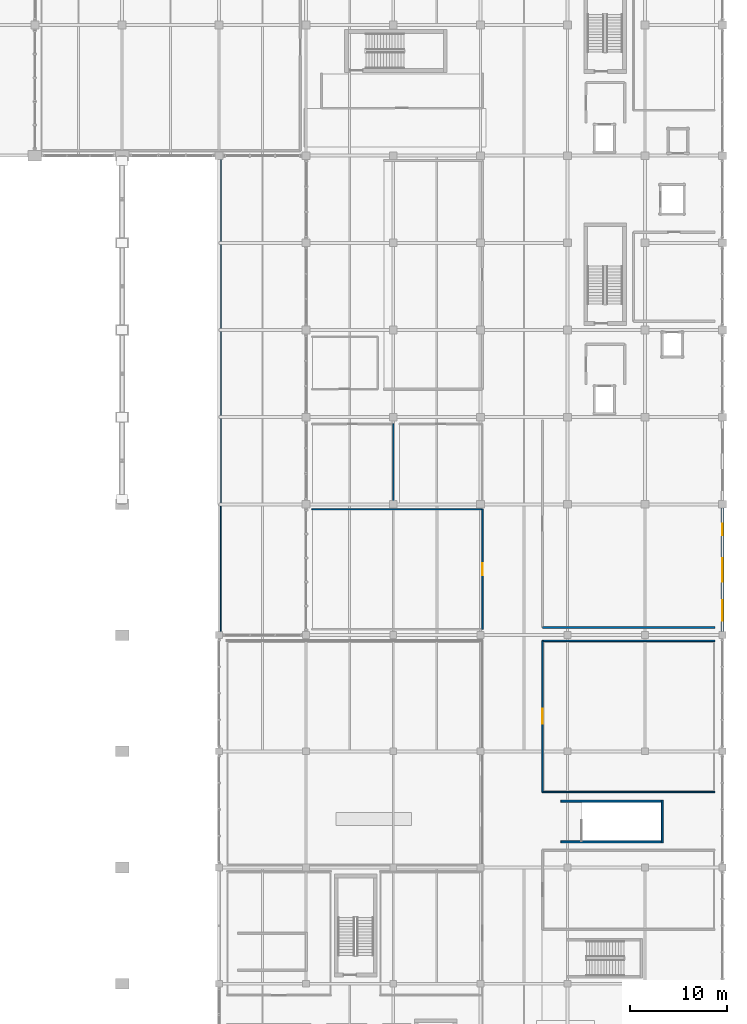
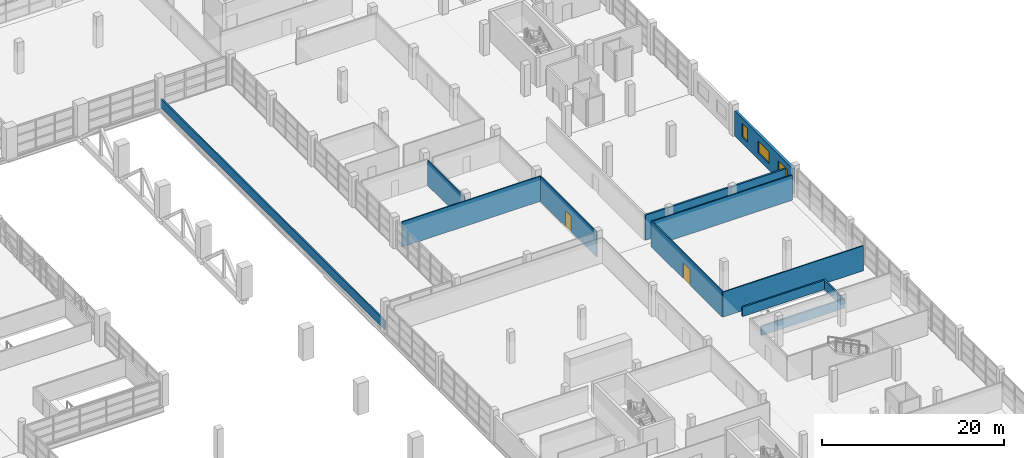
# One storey, part 121 of 136: 12 walls, 3 windows, 2 doors, 5 openings.
"""IFC4 building model written with IfcOpenShell, lengths in metres."""

import ifcopenshell
import ifcopenshell.guid

model = None  # the IFC model being written
_history = None  # IfcOwnerHistory: only IFC2X3 demands one
_inside = {}  # id of a spatial element -> (the spatial element, [elements in it])
_under = {}  # id of a project, library or spatial element -> (it, [spatial elements below it])
_declared = {}  # id of a project -> (the project, [libraries it declares])
_typed = {}  # id of a type object -> (the type object, [elements of that type])
_made_of = {}  # id of a material, layer set ... -> (it, [elements and type objects made of it])


def new_model(schema):
    """Start an empty IFC model of exactly this schema.

    Asked for "IFC4X3", IfcOpenShell would pick the latest addendum, in which some entities
    have other attributes; the version numbers below select the first issue.
    IFC2X3 requires an IfcOwnerHistory on every rooted entity: one is made here for all.
    """
    global model, _history
    if schema == "IFC4X3":
        model = ifcopenshell.file(schema_version=(4, 3, 0, 0))
    else:
        model = ifcopenshell.file(schema=schema)
    _inside.clear()
    _under.clear()
    _declared.clear()
    _typed.clear()
    _made_of.clear()
    _history = None
    if model.schema == "IFC2X3":
        org = make("IfcOrganization", Name="unknown")
        user = make(
            "IfcPersonAndOrganization",
            ThePerson=make("IfcPerson", FamilyName="unknown"),
            TheOrganization=org,
        )
        app = make(
            "IfcApplication",
            ApplicationDeveloper=org,
            Version="unknown",
            ApplicationFullName="unknown",
            ApplicationIdentifier="unknown",
        )
        _history = make(
            "IfcOwnerHistory",
            OwningUser=user,
            OwningApplication=app,
            ChangeAction="ADDED",
            CreationDate=0,
        )
    return model


def make(cls, **values):
    """One entity of the class cls with the attributes given. An attribute that is None is left unset."""
    return model.create_entity(
        cls, **{name: value for name, value in values.items() if value is not None}
    )


def rooted(cls, **values):
    """An entity with a GlobalId (a new one), such as an element, a storey or a relation."""
    return make(cls, GlobalId=ifcopenshell.guid.new(), OwnerHistory=_history, **values)


def si_unit(unit_type, name, prefix=None):
    """IfcSIUnit, for example si_unit("LENGTHUNIT", "METRE", prefix="MILLI")."""
    return make("IfcSIUnit", UnitType=unit_type, Prefix=prefix, Name=name)


def assignment(units):
    """IfcUnitAssignment: the units of a project."""
    return None if units is None else make("IfcUnitAssignment", Units=units)


def point(xyz):
    """IfcCartesianPoint."""
    return None if xyz is None else make("IfcCartesianPoint", Coordinates=xyz)


def direction(xyz):
    """IfcDirection."""
    return None if xyz is None else make("IfcDirection", DirectionRatios=xyz)


def frame(location, z_axis=None, x_axis=None):
    """IfcAxis2Placement3D, a coordinate frame: its origin and axes. An axis left out is left unset."""
    return make(
        "IfcAxis2Placement3D",
        Location=point(location),
        Axis=direction(z_axis),
        RefDirection=direction(x_axis),
    )


def frame_2d(location, x_axis=None):
    """IfcAxis2Placement2D, a coordinate frame in the plane: its origin and x axis."""
    return make(
        "IfcAxis2Placement2D", Location=point(location), RefDirection=direction(x_axis)
    )


def origin():
    """The frame at (0, 0, 0) with its axes left unset."""
    return frame((0.0, 0.0, 0.0))


def place(relative_to, where):
    """IfcLocalPlacement: puts the frame where relative to a parent placement (None: the world)."""
    return make(
        "IfcLocalPlacement", PlacementRelTo=relative_to, RelativePlacement=where
    )


def context(
    kind, dimensions, precision=None, world=None, true_north=None, identifier=None
):
    """IfcGeometricRepresentationContext, for example the 3D "Model" context."""
    return make(
        "IfcGeometricRepresentationContext",
        ContextIdentifier=identifier,
        ContextType=kind,
        CoordinateSpaceDimension=dimensions,
        Precision=precision,
        WorldCoordinateSystem=world,
        TrueNorth=true_north,
    )


def subcontext(parent, identifier, kind, view, scale=None):
    """IfcGeometricRepresentationSubContext, for example "Body" below "Model"."""
    return make(
        "IfcGeometricRepresentationSubContext",
        ContextIdentifier=identifier,
        ContextType=kind,
        ParentContext=parent,
        TargetScale=scale,
        TargetView=view,
    )


def project(units=None, contexts=None):
    """IfcProject with its units and contexts."""
    return rooted(
        "IfcProject",
        Name="project",
        RepresentationContexts=contexts,
        UnitsInContext=assignment(units),
    )


def spatial(cls, under=None, at=None, **own):
    """A site, building, storey or space (cls), placed at a placement, below another one or the project."""
    s = rooted(cls, ObjectPlacement=at, **own)
    if under is not None:
        _under.setdefault(under.id(), (under, []))[1].append(s)
    return s


def profile(cls, at=None, kind="AREA", **sizes):
    """A parametric profile (cls). Its sizes go by their IFC names, for example OverallWidth=200.0."""
    return make(cls, ProfileType=kind, Position=at, **sizes)


def rectangle(**sizes):
    """IfcRectangleProfileDef."""
    return profile("IfcRectangleProfileDef", **sizes)


def extrude(swept, where, along, depth):
    """IfcExtrudedAreaSolid: the profile swept, set in the frame where, extruded along a direction by depth."""
    return make(
        "IfcExtrudedAreaSolid",
        SweptArea=swept,
        Position=where,
        ExtrudedDirection=direction(along),
        Depth=depth,
    )


def shape(context_of_items, identifier, shape_type, items):
    """IfcShapeRepresentation: the items that make up one representation, for example the "Body"."""
    return make(
        "IfcShapeRepresentation",
        ContextOfItems=context_of_items,
        RepresentationIdentifier=identifier,
        RepresentationType=shape_type,
        Items=items,
    )


def material(Name=None, Category=None):
    """IfcMaterial."""
    return make("IfcMaterial", Name=Name, Category=Category)


def layer(
    of_material, thickness, ventilated=None, Name=None, Category=None, Priority=None
):
    """IfcMaterialLayer: one layer of a wall or slab, of a material (None: an air gap)."""
    return make(
        "IfcMaterialLayer",
        Material=of_material,
        LayerThickness=thickness,
        IsVentilated=ventilated,
        Name=Name,
        Category=Category,
        Priority=Priority,
    )


def layer_set(layers, Name=None):
    """IfcMaterialLayerSet."""
    return make("IfcMaterialLayerSet", MaterialLayers=layers, LayerSetName=Name)


def made_of(thing, what):
    """Note that an element or type object is made of a material, layer set ...; save() writes the relation."""
    if what is not None:
        _made_of.setdefault(what.id(), (what, []))[1].append(thing)
    return thing


def type_object(cls, material=None, **own):
    """A type object (cls), such as IfcWallType, which elements share."""
    return made_of(rooted(cls, **own), material)


def element(
    cls,
    number,
    at=None,
    inside=None,
    cuts=None,
    type_object=None,
    material=None,
    context=None,
    identifier="Body",
    shape_type=None,
    held_by="IfcProductDefinitionShape",
    body=None,
    shapes=None,
    **own,
):
    """One element of the class cls, such as IfcWall. Its Tag is "e" and its number.

    at: its placement. inside: the storey or other place that contains it. cuts: it is an
    opening in that element (IfcRelVoidsElement). A single representation is given by context,
    identifier, shape_type and body (its items); several are given by shapes. held_by: the class
    of the entity that holds the representations. save() writes the other relations.
    """
    e = rooted(cls, Tag="e%d" % number, ObjectPlacement=at, **own)
    if body is not None:
        shapes = [shape(context, identifier, shape_type, body)]
    if shapes is not None:
        e.Representation = make(held_by, Representations=shapes)
    if inside is not None:
        _inside.setdefault(inside.id(), (inside, []))[1].append(e)
    if cuts is not None:
        rooted(
            "IfcRelVoidsElement", RelatingBuildingElement=cuts, RelatedOpeningElement=e
        )
    if type_object is not None:
        _typed.setdefault(type_object.id(), (type_object, []))[1].append(e)
    return made_of(e, material)


def fill(opening, filler):
    """IfcRelFillsElement: the door or window that sits in an opening."""
    return rooted(
        "IfcRelFillsElement",
        RelatingOpeningElement=opening,
        RelatedBuildingElement=filler,
    )


def aggregate(whole, parts):
    """IfcRelAggregates: a whole, such as a stair, and the parts it consists of."""
    return rooted("IfcRelAggregates", RelatingObject=whole, RelatedObjects=parts)


def save(model, path):
    """Write the relations noted so far, then the file.

    IfcRelAggregates (storeys below a building ...), IfcRelContainedInSpatialStructure (elements
    in a storey), IfcRelDefinesByType, IfcRelAssociatesMaterial and IfcRelDeclares: one each for
    every whole, place, type object, material and project.
    """
    for whole, parts in _under.values():
        aggregate(whole, parts)
    for where, things in _inside.values():
        rooted(
            "IfcRelContainedInSpatialStructure",
            RelatedElements=things,
            RelatingStructure=where,
        )
    for kind, things in _typed.values():
        rooted("IfcRelDefinesByType", RelatedObjects=things, RelatingType=kind)
    for what, things in _made_of.values():
        rooted("IfcRelAssociatesMaterial", RelatedObjects=things, RelatingMaterial=what)
    for by, libraries in _declared.values():
        rooted("IfcRelDeclares", RelatingContext=by, RelatedDefinitions=libraries)
    model.write(path)


model = new_model("IFC4")

# Units and contexts
model_context = context("Model", 3, precision=1e-05, world=origin(), true_north=direction((0.0, 1.0)))
body_context = subcontext(model_context, "Body", "Model", "MODEL_VIEW")
ifc_project = project(units=[si_unit("LENGTHUNIT", "METRE"), si_unit("AREAUNIT", "SQUARE_METRE"), si_unit("VOLUMEUNIT", "CUBIC_METRE"), si_unit("PLANEANGLEUNIT", "RADIAN"), si_unit("MASSUNIT", "GRAM", prefix="KILO")], contexts=[model_context])

# Site, building, storey
site_placement = place(None, origin())
site = spatial("IfcSite", under=ifc_project, at=site_placement, CompositionType="ELEMENT")
building_placement = place(site_placement, origin())
building = spatial("IfcBuilding", under=site, at=building_placement, Name="Chuanluo Vaults Station", CompositionType="ELEMENT")
storey_placement = place(building_placement, frame((0.0, 0.0, 6.60009765625)))
storey = spatial("IfcBuildingStorey", under=building, at=storey_placement, Name="L01", CompositionType="ELEMENT", Elevation=6.60009765625)

# Wall, openings, windows
ifc_material_1 = material(Name="Concrete C40", Category="concrete")
ifc_layer_1 = layer(ifc_material_1, 0.320068359375)
ifc_layer_set_1 = layer_set([ifc_layer_1], Name="Concrete C40")
wall_type_1 = type_object("IfcWallType", Name="WL-EXT-320", PredefinedType="SOLIDWALL", material=ifc_layer_set_1)
wall_1_placement = place(storey_placement, frame((188.0, 67.10009765625, 0.0), z_axis=(0.0, 0.0, 1.0), x_axis=(0.0, -1.0, 0.0)))
wall_1 = element("IfcWall", 1, at=wall_1_placement, inside=storey, type_object=wall_type_1, Name="L01 exterior punched wall 04", PredefinedType="SOLIDWALL", context=body_context, shape_type="SweptSolid", body=[
    extrude(rectangle(XDim=12.75, YDim=0.320068359375, at=frame_2d((6.375, 0.0))), origin(), (0.0, 0.0, 1.0), 3.344970703125),
])
opening_1_placement = place(wall_1_placement, frame((1.578369140625, 0.0, 0.89990234375)))
opening_1 = element("IfcOpeningElement", 2, at=opening_1_placement, cuts=wall_1, Name="Opening W-05", PredefinedType="OPENING", context=body_context, shape_type="SweptSolid", body=[
    extrude(rectangle(XDim=1.199951171875, YDim=1.800048828125, at=frame_2d((0.60009765625, 0.89990234375))), frame((0.0, 0.17016, 0.0), z_axis=(0.0, -1.0, 0.0), x_axis=(1.0, 0.0, 0.0)), (0.0, 0.0, 1.0), 0.34007),
])
opening_2_placement = place(wall_1_placement, frame((5.175048828125, 0.0, 0.89990234375)))
opening_2 = element("IfcOpeningElement", 3, at=opening_2_placement, cuts=wall_1, Name="Opening W-06", PredefinedType="OPENING", context=body_context, shape_type="SweptSolid", body=[
    extrude(rectangle(XDim=2.39990234375, YDim=1.60009765625, at=frame_2d((1.199951171875, 0.800048828125))), frame((0.0, 0.17016, 0.0), z_axis=(0.0, -1.0, 0.0), x_axis=(1.0, 0.0, 0.0)), (0.0, 0.0, 1.0), 0.34007),
])
opening_3_placement = place(wall_1_placement, frame((9.521728515625, 0.0, 0.89990234375)))
opening_3 = element("IfcOpeningElement", 4, at=opening_3_placement, cuts=wall_1, Name="Opening W-07", PredefinedType="OPENING", context=body_context, shape_type="SweptSolid", body=[
    extrude(rectangle(XDim=2.10009765625, YDim=1.60009765625, at=frame_2d((1.050048828125, 0.800048828125))), frame((0.0, 0.17016, 0.0), z_axis=(0.0, -1.0, 0.0), x_axis=(1.0, 0.0, 0.0)), (0.0, 0.0, 1.0), 0.34007),
])
ifc_material_2 = material(Name="Double-silver Low-E laminated glass", Category="glass")
window_type_1 = type_object("IfcWindowType", Name="WN-OPS-1200x1800", PartitioningType="SINGLE_PANEL", PredefinedType="WINDOW", material=ifc_material_2)
window_1_placement = place(opening_1_placement, origin())
window_1 = element("IfcWindow", 5, at=window_1_placement, inside=storey, type_object=window_type_1, Name="W-067 L01 facade window", OverallHeight=1.800048828125, OverallWidth=1.199951171875, PartitioningType="SINGLE_PANEL", PredefinedType="WINDOW", context=body_context, shape_type="SweptSolid", body=[
    extrude(rectangle(XDim=1.199951171875, YDim=1.800048828125, at=frame_2d((0.60009765625, 0.89990234375))), frame((0.0, 0.030029296875, 0.0), z_axis=(0.0, -1.0, 0.0), x_axis=(1.0, 0.0, 0.0)), (0.0, 0.0, 1.0), 0.06005859375),
])
fill(opening_1, window_1)
ifc_material_3 = material(Name="Double-silver Low-E laminated glass", Category="glass")
window_type_2 = type_object("IfcWindowType", Name="WN-OPS-2100x1600", PartitioningType="SINGLE_PANEL", PredefinedType="WINDOW", material=ifc_material_3)
window_2_placement = place(opening_3_placement, origin())
window_2 = element("IfcWindow", 6, at=window_2_placement, inside=storey, type_object=window_type_2, Name="W-069 L01 facade window", OverallHeight=1.60009765625, OverallWidth=2.10009765625, PartitioningType="SINGLE_PANEL", PredefinedType="WINDOW", context=body_context, shape_type="SweptSolid", body=[
    extrude(rectangle(XDim=2.10009765625, YDim=1.60009765625, at=frame_2d((1.050048828125, 0.800048828125))), frame((0.0, 0.030029296875, 0.0), z_axis=(0.0, -1.0, 0.0), x_axis=(1.0, 0.0, 0.0)), (0.0, 0.0, 1.0), 0.06005859375),
])
fill(opening_3, window_2)
ifc_material_4 = material(Name="Double-silver Low-E laminated glass", Category="glass")
window_type_3 = type_object("IfcWindowType", Name="WN-OPS-2400x1600", PartitioningType="SINGLE_PANEL", PredefinedType="WINDOW", material=ifc_material_4)
window_3_placement = place(opening_2_placement, origin())
window_3 = element("IfcWindow", 7, at=window_3_placement, inside=storey, type_object=window_type_3, Name="W-068 L01 facade window", OverallHeight=1.60009765625, OverallWidth=2.39990234375, PartitioningType="SINGLE_PANEL", PredefinedType="WINDOW", context=body_context, shape_type="SweptSolid", body=[
    extrude(rectangle(XDim=2.39990234375, YDim=1.60009765625, at=frame_2d((1.199951171875, 0.800048828125))), frame((0.0, 0.030029296875, 0.0), z_axis=(0.0, -1.0, 0.0), x_axis=(1.0, 0.0, 0.0)), (0.0, 0.0, 1.0), 0.06005859375),
])
fill(opening_2, window_3)

# Walls
ifc_material_5 = material(Name="Concrete C40", Category="concrete")
ifc_layer_2 = layer(ifc_material_5, 0.219970703125)
ifc_layer_set_2 = layer_set([ifc_layer_2], Name="Concrete C40")
wall_type_2 = type_object("IfcWallType", Name="WL-FIR-220", PredefinedType="SOLIDWALL", material=ifc_layer_set_2)
wall_2_placement = place(storey_placement, frame((187.199951171875, 54.800048828125, 0.0), z_axis=(0.0, 0.0, 1.0), x_axis=(-1.0, 0.0, 0.0)))
element("IfcWall", 8, at=wall_2_placement, inside=storey, type_object=wall_type_2, Name="L01-19 Signal Relay Equipment Room S partition", PredefinedType="SOLIDWALL", context=body_context, shape_type="SweptSolid", body=[
    extrude(rectangle(XDim=17.800048828125, YDim=0.219970703125, at=frame_2d((8.89990234375, 0.0))), origin(), (0.0, 0.0, 1.0), 3.369873046875),
])
ifc_material_6 = material(Name="Concrete C40", Category="concrete")
ifc_layer_3 = layer(ifc_material_6, 0.179931640625)
ifc_layer_set_3 = layer_set([ifc_layer_3], Name="Concrete C40")
wall_type_3 = type_object("IfcWallType", Name="WL-PAR-180", PredefinedType="PARAPET", material=ifc_layer_set_3)
wall_3_placement = place(storey_placement, frame((136.14990234375, 54.14990234375, 0.0), z_axis=(0.0, 0.0, 1.0), x_axis=(0.0, 1.0, 0.0)))
element("IfcWall", 9, at=wall_3_placement, inside=storey, type_object=wall_type_3, Name="L01 roof parapet wall 05", PredefinedType="PARAPET", context=body_context, shape_type="SweptSolid", body=[
    extrude(rectangle(XDim=49.2001953125, YDim=0.179931640625, at=frame_2d((24.60009765625, 0.0))), origin(), (0.0, 0.0, 1.0), 1.199951171875),
])
ifc_material_7 = material(Name="Masonry blockwork M10", Category="masonry")
ifc_layer_4 = layer(ifc_material_7, 0.1298828125)
ifc_layer_set_4 = layer_set([ifc_layer_4], Name="Masonry blockwork M10")
wall_type_4 = type_object("IfcWallType", Name="WL-PRT-130", PredefinedType="PARTITIONING", material=ifc_layer_set_4)
wall_4_placement = place(storey_placement, frame((154.0, 75.800048828125, 0.0), z_axis=(0.0, 0.0, 1.0), x_axis=(0.0, -1.0, 0.0)))
element("IfcWall", 10, at=wall_4_placement, inside=storey, type_object=wall_type_4, Name="L01-13 Departure Level Male Toilet E partition", PredefinedType="PARTITIONING", context=body_context, shape_type="SweptSolid", body=[
    extrude(rectangle(XDim=8.199951171875, YDim=0.1298828125, at=frame_2d((4.10009765625, 0.0))), origin(), (0.0, 0.0, 1.0), 3.369873046875),
])
ifc_material_8 = material(Name="Autoclaved aerated concrete blockwork MU10", Category="masonry")
ifc_layer_5 = layer(ifc_material_8, 0.139892578125)
ifc_layer_set_5 = layer_set([ifc_layer_5], Name="Autoclaved aerated concrete blockwork MU10")
wall_type_5 = type_object("IfcWallType", Name="WL-PRT-140", PredefinedType="PARTITIONING", material=ifc_layer_set_5)
wall_5_placement = place(storey_placement, frame((145.60009765625, 67.0, 0.0), z_axis=(0.0, 0.0, 1.0), x_axis=(1.0, 0.0, 0.0)))
element("IfcWall", 11, at=wall_5_placement, inside=storey, type_object=wall_type_5, Name="L01-12 Nursing and Family Care Suite N partition", PredefinedType="PARTITIONING", context=body_context, shape_type="SweptSolid", body=[
    extrude(rectangle(XDim=17.599853515625, YDim=0.139892578125, at=frame_2d((8.7998046875, 0.0))), origin(), (0.0, 0.0, 1.0), 3.369873046875),
])

# Wall, opening, door
wall_6_placement = place(storey_placement, frame((163.199951171875, 67.0, 0.0), z_axis=(0.0, 0.0, 1.0), x_axis=(0.0, -1.0, 0.0)))
wall_6 = element("IfcWall", 12, at=wall_6_placement, inside=storey, type_object=wall_type_5, Name="L01-12 Nursing and Family Care Suite E partition", PredefinedType="PARTITIONING", context=body_context, shape_type="SweptSolid", body=[
    extrude(rectangle(XDim=12.39990234375, YDim=0.139892578125, at=frame_2d((6.199951171875, 0.0))), origin(), (0.0, 0.0, 1.0), 3.369873046875),
])
opening_4_placement = place(wall_6_placement, frame((5.574951171875, 0.0, 0.0)))
opening_4 = element("IfcOpeningElement", 13, at=opening_4_placement, cuts=wall_6, Name="Opening D-I05", PredefinedType="OPENING", context=body_context, shape_type="SweptSolid", body=[
    extrude(rectangle(XDim=1.25, YDim=2.10009765625, at=frame_2d((0.625, 1.050048828125))), frame((0.0, 0.07982, 0.0), z_axis=(0.0, -1.0, 0.0), x_axis=(1.0, 0.0, 0.0)), (0.0, 0.0, 1.0), 0.15989),
])
ifc_material_9 = material(Name="Anodised aluminium 6063-T6", Category="aluminium")
door_type_1 = type_object("IfcDoorType", Name="DR-INT-1250x2100", OperationType="NOTDEFINED", PredefinedType="DOOR", material=ifc_material_9)
door_1_placement = place(opening_4_placement, origin())
door_1 = element("IfcDoor", 14, at=door_1_placement, inside=storey, type_object=door_type_1, Name="D-188 Nursing and Family Care Suite door", OperationType="SINGLE_SWING_LEFT", OverallHeight=2.10009765625, OverallWidth=1.25, PredefinedType="DOOR", context=body_context, shape_type="SweptSolid", body=[
    extrude(rectangle(XDim=1.25, YDim=2.10009765625, at=frame_2d((0.625, 1.050048828125))), frame((0.0, 0.02490234375, 0.0), z_axis=(0.0, -1.0, 0.0), x_axis=(1.0, 0.0, 0.0)), (0.0, 0.0, 1.0), 0.050048828125),
])
fill(opening_4, door_1)

# Walls
ifc_material_10 = material(Name="Autoclaved aerated concrete blockwork MU10", Category="masonry")
ifc_layer_6 = layer(ifc_material_10, 0.14990234375)
ifc_layer_set_6 = layer_set([ifc_layer_6], Name="Autoclaved aerated concrete blockwork MU10")
wall_type_6 = type_object("IfcWallType", Name="WL-PRT-150", PredefinedType="PARTITIONING", material=ifc_layer_set_6)
for number, where, z_axis, x_axis, name in (
    (15, (187.199951171875, 37.800048828125, 0.0), (0.0, 0.0, 1.0), (-1.0, 0.0, 0.0), "L01-11 Souvenir and Nanjing Craft Gallery S partition"),
    (16, (169.39990234375, 53.39990234375, 0.0), (0.0, 0.0, 1.0), (1.0, 0.0, 0.0), "L01-11 Souvenir and Nanjing Craft Gallery N partition"),
):
    element("IfcWall", number, at=place(storey_placement, frame(where, z_axis=z_axis, x_axis=x_axis)), inside=storey, type_object=wall_type_6, Name=name, PredefinedType="PARTITIONING", context=body_context, shape_type="SweptSolid", body=[
        extrude(rectangle(XDim=17.800048828125, YDim=0.14990234375, at=frame_2d((8.89990234375, 0.0))), origin(), (0.0, 0.0, 1.0), 3.344970703125),
    ])

# Wall, opening, door
wall_7_placement = place(storey_placement, frame((169.39990234375, 37.800048828125, 0.0), z_axis=(0.0, 0.0, 1.0), x_axis=(0.0, 1.0, 0.0)))
wall_7 = element("IfcWall", 17, at=wall_7_placement, inside=storey, type_object=wall_type_6, Name="L01-11 Souvenir and Nanjing Craft Gallery W partition", PredefinedType="PARTITIONING", context=body_context, shape_type="SweptSolid", body=[
    extrude(rectangle(XDim=15.599853515625, YDim=0.14990234375, at=frame_2d((7.7998046875, 0.0))), origin(), (0.0, 0.0, 1.0), 3.48486328125),
])
opening_5_placement = place(wall_7_placement, frame((7.02490234375, 0.0, 0.0)))
opening_5 = element("IfcOpeningElement", 18, at=opening_5_placement, cuts=wall_7, Name="Opening D-I03", PredefinedType="OPENING", context=body_context, shape_type="SweptSolid", body=[
    extrude(rectangle(XDim=1.550048828125, YDim=2.10009765625, at=frame_2d((0.77490234375, 1.050048828125))), frame((0.0, 0.08495, 0.0), z_axis=(0.0, -1.0, 0.0), x_axis=(1.0, 0.0, 0.0)), (0.0, 0.0, 1.0), 0.1699),
])
ifc_material_11 = material(Name="Anodised aluminium 6063-T6", Category="aluminium")
door_type_2 = type_object("IfcDoorType", Name="DR-INT-1550x2100", OperationType="NOTDEFINED", PredefinedType="DOOR", material=ifc_material_11)
door_2_placement = place(opening_5_placement, origin())
door_2 = element("IfcDoor", 19, at=door_2_placement, inside=storey, type_object=door_type_2, Name="D-187 Souvenir and Nanjing Craft Gallery door", OperationType="SINGLE_SWING_RIGHT", OverallHeight=2.10009765625, OverallWidth=1.550048828125, PredefinedType="DOOR", context=body_context, shape_type="SweptSolid", body=[
    extrude(rectangle(XDim=1.550048828125, YDim=2.10009765625, at=frame_2d((0.77490234375, 1.050048828125))), frame((0.0, 0.02490234375, 0.0), z_axis=(0.0, -1.0, 0.0), x_axis=(1.0, 0.0, 0.0)), (0.0, 0.0, 1.0), 0.050048828125),
])
fill(opening_5, door_2)

# Walls
ifc_material_12 = material(Name="Concrete C40", Category="concrete")
ifc_layer_7 = layer(ifc_material_12, 0.199951171875)
ifc_layer_set_7 = layer_set([ifc_layer_7], Name="Concrete C40")
wall_type_7 = type_object("IfcWallType", Name="WL-SHF-200", PredefinedType="SOLIDWALL", material=ifc_layer_set_7)
for number, where, z_axis, x_axis, name in (
    (20, (171.300048828125, 32.64990234375, 0.0), (0.0, 0.0, 1.0), (1.0, 0.0, 0.0), "Stair ST-26 south shaft wall L01"),
    (21, (181.875, 36.85009765625, 0.0), (0.0, 0.0, 1.0), (-1.0, 0.0, 0.0), "Stair ST-26 north shaft wall L01"),
):
    element("IfcWall", number, at=place(storey_placement, frame(where, z_axis=z_axis, x_axis=x_axis)), inside=storey, type_object=wall_type_7, Name=name, PredefinedType="SOLIDWALL", context=body_context, shape_type="SweptSolid", body=[
        extrude(rectangle(XDim=10.574951171875, YDim=0.199951171875, at=frame_2d((5.28759765625, 0.0))), origin(), (0.0, 0.0, 1.0), 1.25),
    ])
wall_8_placement = place(storey_placement, frame((181.77490234375, 32.550048828125, 0.0), z_axis=(0.0, 0.0, 1.0), x_axis=(0.0, 1.0, 0.0)))
element("IfcWall", 22, at=wall_8_placement, inside=storey, type_object=wall_type_7, Name="Stair ST-26 far shaft wall L01", PredefinedType="SOLIDWALL", context=body_context, shape_type="SweptSolid", body=[
    extrude(rectangle(XDim=4.39990234375, YDim=0.199951171875, at=frame_2d((2.199951171875, 0.0))), origin(), (0.0, 0.0, 1.0), 1.25),
])

save(model, "model.ifc")
